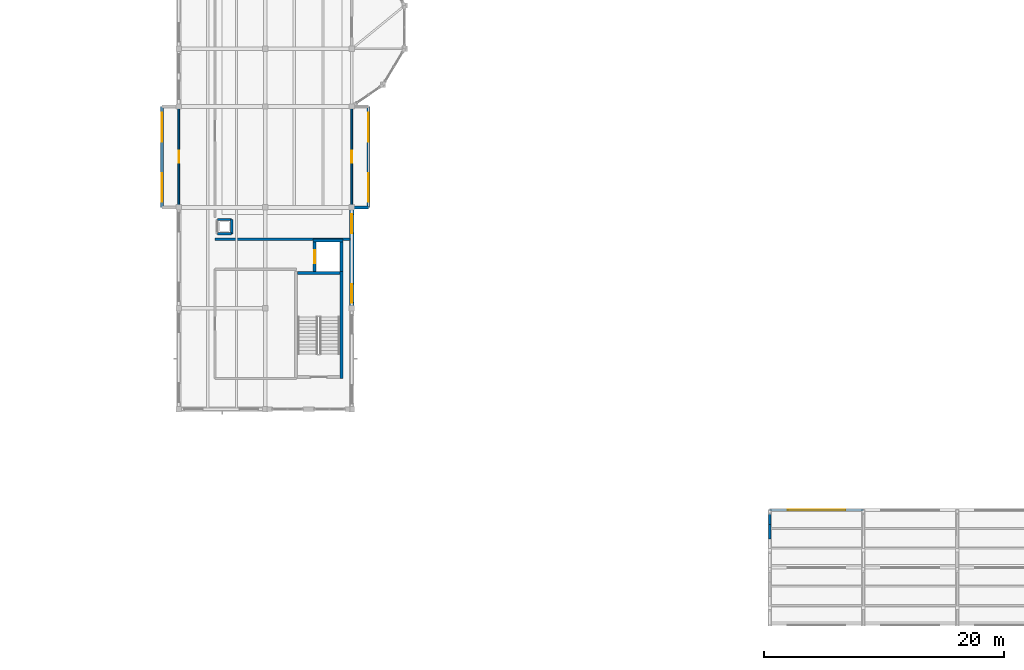
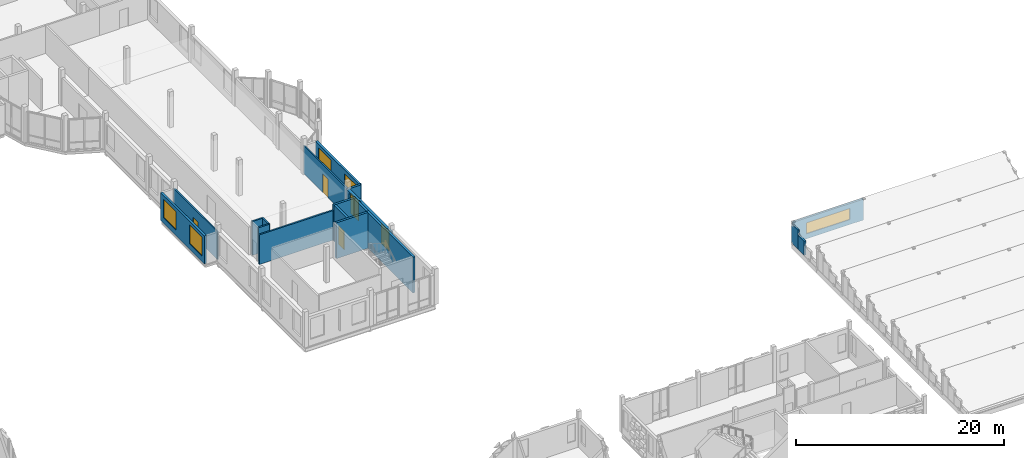
# One storey, part 58 of 81: 18 walls, 7 windows, 3 doors, 10 openings.
"""IFC4 building model written with IfcOpenShell, lengths in metres."""

from ifc_helpers import new_model, si_unit, direction, frame, frame_2d, origin, place, context, subcontext, project, spatial, rectangle, extrude, material, layer, layer_set, type_object, element, fill, save


model = new_model("IFC4")

# Units and contexts
model_context = context("Model", 3, precision=1e-05, world=origin(), true_north=direction((0.0, 1.0)))
body_context = subcontext(model_context, "Body", "Model", "MODEL_VIEW")
ifc_project = project(units=[si_unit("LENGTHUNIT", "METRE"), si_unit("AREAUNIT", "SQUARE_METRE"), si_unit("VOLUMEUNIT", "CUBIC_METRE"), si_unit("PLANEANGLEUNIT", "RADIAN"), si_unit("MASSUNIT", "GRAM", prefix="KILO")], contexts=[model_context])

# Site, building, storey
site_placement = place(None, origin())
site = spatial("IfcSite", under=ifc_project, at=site_placement, CompositionType="ELEMENT")
building_placement = place(site_placement, origin())
building = spatial("IfcBuilding", under=site, at=building_placement, Name="Kahlenmark Community Centre", CompositionType="ELEMENT")
storey_placement = place(building_placement, frame((0.0, 0.0, 9.60009765625)))
storey = spatial("IfcBuildingStorey", under=building, at=storey_placement, Name="L02", CompositionType="ELEMENT", Elevation=9.60009765625)

# Walls
ifc_material_1 = material(Name="Concrete C35/45", Category="concrete")
ifc_layer_1 = layer(ifc_material_1, 0.25)
ifc_layer_set_1 = layer_set([ifc_layer_1], Name="Concrete C35/45")
wall_type_1 = type_object("IfcWallType", Name="WT-CORE-250", PredefinedType="SHEAR", material=ifc_layer_set_1)
wall_1_placement = place(storey_placement, frame((85.800048828125, 62.125, 0.0), z_axis=(0.0, 0.0, 1.0), x_axis=(-1.0, 0.0, 0.0)))
element("IfcWall", 1, at=wall_1_placement, inside=storey, type_object=wall_type_1, Name="Core K6 shear wall WL-CORE-K6-L02-0220", PredefinedType="SHEAR", context=body_context, shape_type="SweptSolid", body=[
    extrude(rectangle(XDim=3.5, YDim=0.25, at=frame_2d((1.75, 0.0))), origin(), (0.0, 0.0, 1.0), 4.199951171875),
])
wall_2_placement = place(storey_placement, frame((85.925048828125, 53.35009765625, 0.0), z_axis=(0.0, 0.0, 1.0), x_axis=(0.0, 1.0, 0.0)))
element("IfcWall", 2, at=wall_2_placement, inside=storey, type_object=wall_type_1, Name="Core K6 shear wall WL-CORE-K6-L02-0221", PredefinedType="SHEAR", context=body_context, shape_type="SweptSolid", body=[
    extrude(rectangle(XDim=8.89990234375, YDim=0.25, at=frame_2d((4.449951171875, 0.0))), origin(), (0.0, 0.0, 1.0), 4.199951171875),
])
wall_3_placement = place(storey_placement, frame((83.590087890625, 64.8349609375, 0.0), z_axis=(0.0, 0.0, 1.0), x_axis=(1.0, 0.0, 0.0)))
element("IfcWall", 3, at=wall_3_placement, inside=storey, type_object=wall_type_1, Name="Core K6 shear wall WL-CORE-K6-L02-0222", PredefinedType="SHEAR", context=body_context, shape_type="SweptSolid", body=[
    extrude(rectangle(XDim=2.4599609375, YDim=0.25, at=frame_2d((1.22998046875, 0.0))), origin(), (0.0, 0.0, 1.0), 4.199951171875),
])

# Wall, opening, door
wall_4_placement = place(storey_placement, frame((83.715087890625, 62.25, 0.0), z_axis=(0.0, 0.0, 1.0), x_axis=(0.0, 1.0, 0.0)))
wall_4 = element("IfcWall", 4, at=wall_4_placement, inside=storey, type_object=wall_type_1, Name="Core K6 shear wall WL-CORE-K6-L02-0223", PredefinedType="SHEAR", context=body_context, shape_type="SweptSolid", body=[
    extrude(rectangle(XDim=2.4599609375, YDim=0.25, at=frame_2d((1.22998046875, 0.0))), origin(), (0.0, 0.0, 1.0), 4.199951171875),
])
opening_1_placement = place(wall_4_placement, frame((0.679931640625, 0.0, -0.010009765625)))
opening_1 = element("IfcOpeningElement", 5, at=opening_1_placement, cuts=wall_4, Name="Opening LD-6", PredefinedType="OPENING", context=body_context, shape_type="SweptSolid", body=[
    extrude(rectangle(XDim=1.10009765625, YDim=2.159912109375, at=frame_2d((0.550048828125, 1.080078125))), frame((0.0, 0.135009765625, 0.0), z_axis=(0.0, -1.0, 0.0), x_axis=(1.0, 0.0, 0.0)), (0.0, 0.0, 1.0), 0.27001953125),
])
ifc_material_2 = material(Name="Brushed stainless steel sliding lift landing door", Category="steel")
door_type_1 = type_object("IfcDoorType", Name="DT-LD-K6", OperationType="SLIDING_TO_LEFT", PredefinedType="DOOR", material=ifc_material_2)
door_1_placement = place(opening_1_placement, frame((0.0, 0.0, 0.010009765625)))
door_1 = element("IfcDoor", 6, at=door_1_placement, inside=storey, type_object=door_type_1, Name="Lift LF-06 sliding landing door L02", OperationType="SLIDING_TO_LEFT", OverallHeight=2.14990234375, OverallWidth=1.10009765625, PredefinedType="DOOR", context=body_context, shape_type="SweptSolid", body=[
    extrude(rectangle(XDim=1.10009765625, YDim=2.14990234375, at=frame_2d((0.550048828125, 1.074951171875))), frame((0.0, 0.02490234375, 0.0), z_axis=(0.0, -1.0, 0.0), x_axis=(1.0, 0.0, 0.0)), (0.0, 0.0, 1.0), 0.050048828125),
])
fill(opening_1, door_1)

# Walls
wall_5_placement = place(storey_placement, frame((85.925048828125, 62.25, 0.0), z_axis=(0.0, 0.0, 1.0), x_axis=(0.0, 1.0, 0.0)))
element("IfcWall", 7, at=wall_5_placement, inside=storey, type_object=wall_type_1, Name="Core K6 shear wall WL-CORE-K6-L02-0224", PredefinedType="SHEAR", context=body_context, shape_type="SweptSolid", body=[
    extrude(rectangle(XDim=2.7099609375, YDim=0.25, at=frame_2d((1.35498046875, 0.0))), origin(), (0.0, 0.0, 1.0), 4.199951171875),
])
ifc_material_3 = material(Name="Cross-laminated timber CLT C24", Category="wood")
ifc_layer_2 = layer(ifc_material_3, 0.239990234375)
ifc_layer_set_2 = layer_set([ifc_layer_2], Name="Cross-laminated timber CLT C24")
wall_type_2 = type_object("IfcWallType", Name="WT-EW-240", PredefinedType="SOLIDWALL", material=ifc_layer_set_2)
wall_6_placement = place(storey_placement, frame((86.800048828125, 67.60009765625, 0.0), z_axis=(0.0, 0.0, 1.0), x_axis=(1.0, 0.0, 0.0)))
element("IfcWall", 8, at=wall_6_placement, inside=storey, type_object=wall_type_2, Name="Bay oriel wall WL-ORI-L02-0811", PredefinedType="SOLIDWALL", context=body_context, shape_type="SweptSolid", body=[
    extrude(rectangle(XDim=1.39990234375, YDim=0.239990234375, at=frame_2d((0.699951171875, 0.0))), origin(), (0.0, 0.0, 1.0), 3.27001953125),
])

# Wall, openings, windows
wall_7_placement = place(storey_placement, frame((88.199951171875, 67.60009765625, 0.0), z_axis=(0.0, 0.0, 1.0), x_axis=(0.0, 1.0, 0.0)))
wall_7 = element("IfcWall", 9, at=wall_7_placement, inside=storey, type_object=wall_type_2, Name="Bay oriel wall WL-ORI-L02-0812", PredefinedType="SOLIDWALL", context=body_context, shape_type="SweptSolid", body=[
    extrude(rectangle(XDim=8.39990234375, YDim=0.239990234375, at=frame_2d((4.199951171875, 0.0))), origin(), (0.0, 0.0, 1.0), 3.27001953125),
])
opening_2_placement = place(wall_7_placement, frame((0.4599609375, 0.0, 0.64990234375)))
opening_2 = element("IfcOpeningElement", 10, at=opening_2_placement, cuts=wall_7, Name="Opening W-240X220", PredefinedType="OPENING", context=body_context, shape_type="SweptSolid", body=[
    extrude(rectangle(XDim=2.39990234375, YDim=2.199951171875, at=frame_2d((1.199951171875, 1.10009765625))), frame((0.0, 0.1298828125, 0.0), z_axis=(0.0, -1.0, 0.0), x_axis=(1.0, 0.0, 0.0)), (0.0, 0.0, 1.0), 0.260009765625),
])
opening_3_placement = place(wall_7_placement, frame((5.4599609375, 0.0, 0.64990234375)))
opening_3 = element("IfcOpeningElement", 11, at=opening_3_placement, cuts=wall_7, Name="Opening W-240X220", PredefinedType="OPENING", context=body_context, shape_type="SweptSolid", body=[
    extrude(rectangle(XDim=2.39990234375, YDim=2.199951171875, at=frame_2d((1.199951171875, 1.10009765625))), frame((0.0, 0.1298828125, 0.0), z_axis=(0.0, -1.0, 0.0), x_axis=(1.0, 0.0, 0.0)), (0.0, 0.0, 1.0), 0.260009765625),
])
ifc_material_4 = material(Name="Triple low-e insulated glazing in timber-aluminium frame", Category="wood")
window_type_1 = type_object("IfcWindowType", Name="WNT-240X220", PartitioningType="TRIPLE_PANEL_VERTICAL", PredefinedType="WINDOW", material=ifc_material_4)
window_1_placement = place(opening_2_placement, origin())
window_1 = element("IfcWindow", 12, at=window_1_placement, inside=storey, type_object=window_type_1, Name="Window W-240X220 #0505", OverallHeight=2.199951171875, OverallWidth=2.39990234375, PartitioningType="TRIPLE_PANEL_VERTICAL", PredefinedType="WINDOW", context=body_context, shape_type="SweptSolid", body=[
    extrude(rectangle(XDim=2.39990234375, YDim=2.199951171875, at=frame_2d((1.199951171875, 1.10009765625))), frame((0.0, 0.030029296875, 0.0), z_axis=(0.0, -1.0, 0.0), x_axis=(1.0, 0.0, 0.0)), (0.0, 0.0, 1.0), 0.06005859375),
])
fill(opening_2, window_1)
window_2_placement = place(opening_3_placement, origin())
window_2 = element("IfcWindow", 13, at=window_2_placement, inside=storey, type_object=window_type_1, Name="Window W-240X220 #0506", OverallHeight=2.199951171875, OverallWidth=2.39990234375, PartitioningType="TRIPLE_PANEL_VERTICAL", PredefinedType="WINDOW", context=body_context, shape_type="SweptSolid", body=[
    extrude(rectangle(XDim=2.39990234375, YDim=2.199951171875, at=frame_2d((1.199951171875, 1.10009765625))), frame((0.0, 0.030029296875, 0.0), z_axis=(0.0, -1.0, 0.0), x_axis=(1.0, 0.0, 0.0)), (0.0, 0.0, 1.0), 0.06005859375),
])
fill(opening_3, window_2)

wall_8_placement = place(storey_placement, frame((71.0, 67.60009765625, 0.0), z_axis=(0.0, 0.0, 1.0), x_axis=(0.0, 1.0, 0.0)))
wall_8 = element("IfcWall", 14, at=wall_8_placement, inside=storey, type_object=wall_type_2, Name="Bay oriel wall WL-ORI-L02-0848", PredefinedType="SOLIDWALL", context=body_context, shape_type="SweptSolid", body=[
    extrude(rectangle(XDim=8.39990234375, YDim=0.239990234375, at=frame_2d((4.199951171875, 0.0))), origin(), (0.0, 0.0, 1.0), 3.27001953125),
])
opening_4_placement = place(wall_8_placement, frame((0.4599609375, 0.0, 0.64990234375)))
opening_4 = element("IfcOpeningElement", 15, at=opening_4_placement, cuts=wall_8, Name="Opening W-240X220", PredefinedType="OPENING", context=body_context, shape_type="SweptSolid", body=[
    extrude(rectangle(XDim=2.39990234375, YDim=2.199951171875, at=frame_2d((1.199951171875, 1.10009765625))), frame((0.0, 0.1298828125, 0.0), z_axis=(0.0, -1.0, 0.0), x_axis=(1.0, 0.0, 0.0)), (0.0, 0.0, 1.0), 0.260009765625),
])
opening_5_placement = place(wall_8_placement, frame((5.4599609375, 0.0, 0.64990234375)))
opening_5 = element("IfcOpeningElement", 16, at=opening_5_placement, cuts=wall_8, Name="Opening W-240X220", PredefinedType="OPENING", context=body_context, shape_type="SweptSolid", body=[
    extrude(rectangle(XDim=2.39990234375, YDim=2.199951171875, at=frame_2d((1.199951171875, 1.10009765625))), frame((0.0, 0.1298828125, 0.0), z_axis=(0.0, -1.0, 0.0), x_axis=(1.0, 0.0, 0.0)), (0.0, 0.0, 1.0), 0.260009765625),
])
window_3_placement = place(opening_4_placement, origin())
window_3 = element("IfcWindow", 17, at=window_3_placement, inside=storey, type_object=window_type_1, Name="Window W-240X220 #0529", OverallHeight=2.199951171875, OverallWidth=2.39990234375, PartitioningType="TRIPLE_PANEL_VERTICAL", PredefinedType="WINDOW", context=body_context, shape_type="SweptSolid", body=[
    extrude(rectangle(XDim=2.39990234375, YDim=2.199951171875, at=frame_2d((1.199951171875, 1.10009765625))), frame((0.0, 0.030029296875, 0.0), z_axis=(0.0, -1.0, 0.0), x_axis=(1.0, 0.0, 0.0)), (0.0, 0.0, 1.0), 0.06005859375),
])
fill(opening_4, window_3)
window_4_placement = place(opening_5_placement, origin())
window_4 = element("IfcWindow", 18, at=window_4_placement, inside=storey, type_object=window_type_1, Name="Window W-240X220 #0530", OverallHeight=2.199951171875, OverallWidth=2.39990234375, PartitioningType="TRIPLE_PANEL_VERTICAL", PredefinedType="WINDOW", context=body_context, shape_type="SweptSolid", body=[
    extrude(rectangle(XDim=2.39990234375, YDim=2.199951171875, at=frame_2d((1.199951171875, 1.10009765625))), frame((0.0, 0.030029296875, 0.0), z_axis=(0.0, -1.0, 0.0), x_axis=(1.0, 0.0, 0.0)), (0.0, 0.0, 1.0), 0.06005859375),
])
fill(opening_5, window_4)

ifc_material_5 = material(Name="Danube limestone masonry", Category="masonry")
ifc_layer_3 = layer(ifc_material_5, 0.360107421875)
ifc_layer_set_3 = layer_set([ifc_layer_3], Name="Danube limestone masonry")
wall_type_3 = type_object("IfcWallType", Name="WT-EW-360", PredefinedType="SOLIDWALL", material=ifc_layer_set_3)
wall_9_placement = place(storey_placement, frame((86.800048828125, 59.199951171875, 0.0), z_axis=(0.0, 0.0, 1.0), x_axis=(0.0, 1.0, 0.0)))
wall_9 = element("IfcWall", 19, at=wall_9_placement, inside=storey, type_object=wall_type_3, Name="Exterior wall WL-EXT-L02-0529", PredefinedType="SOLIDWALL", context=body_context, shape_type="SweptSolid", body=[
    extrude(rectangle(XDim=8.400146484375, YDim=0.360107421875, at=frame_2d((4.2001953125, 0.0))), origin(), (0.0, 0.0, 1.0), 3.27001953125),
])
opening_6_placement = place(wall_9_placement, frame((0.4599609375, 0.0, 0.75)))
opening_6 = element("IfcOpeningElement", 20, at=opening_6_placement, cuts=wall_9, Name="Opening W-155X238", PredefinedType="OPENING", context=body_context, shape_type="SweptSolid", body=[
    extrude(rectangle(XDim=1.550048828125, YDim=2.3798828125, at=frame_2d((0.77490234375, 1.18994140625))), frame((0.0, 0.18994140625, 0.0), z_axis=(0.0, -1.0, 0.0), x_axis=(1.0, 0.0, 0.0)), (0.0, 0.0, 1.0), 0.380126953125),
])
opening_7_placement = place(wall_9_placement, frame((6.260009765625, 0.0, 0.75)))
opening_7 = element("IfcOpeningElement", 21, at=opening_7_placement, cuts=wall_9, Name="Opening W-155X238", PredefinedType="OPENING", context=body_context, shape_type="SweptSolid", body=[
    extrude(rectangle(XDim=1.550048828125, YDim=2.3798828125, at=frame_2d((0.77490234375, 1.18994140625))), frame((0.0, 0.18994140625, 0.0), z_axis=(0.0, -1.0, 0.0), x_axis=(1.0, 0.0, 0.0)), (0.0, 0.0, 1.0), 0.380126953125),
])
ifc_material_6 = material(Name="Deep-reveal limestone punched triple glazing", Category="masonry")
window_type_2 = type_object("IfcWindowType", Name="WNT-155X238", PartitioningType="DOUBLE_PANEL_HORIZONTAL", PredefinedType="WINDOW", material=ifc_material_6)
window_5_placement = place(opening_6_placement, origin())
window_5 = element("IfcWindow", 22, at=window_5_placement, inside=storey, type_object=window_type_2, Name="Window W-155X238 #0325", OverallHeight=2.3798828125, OverallWidth=1.550048828125, PartitioningType="DOUBLE_PANEL_HORIZONTAL", PredefinedType="WINDOW", context=body_context, shape_type="SweptSolid", body=[
    extrude(rectangle(XDim=1.550048828125, YDim=2.3798828125, at=frame_2d((0.77490234375, 1.18994140625))), frame((0.0, 0.030029296875, 0.0), z_axis=(0.0, -1.0, 0.0), x_axis=(1.0, 0.0, 0.0)), (0.0, 0.0, 1.0), 0.06005859375),
])
fill(opening_6, window_5)
window_6_placement = place(opening_7_placement, origin())
window_6 = element("IfcWindow", 23, at=window_6_placement, inside=storey, type_object=window_type_2, Name="Window W-155X238 #0326", OverallHeight=2.3798828125, OverallWidth=1.550048828125, PartitioningType="DOUBLE_PANEL_HORIZONTAL", PredefinedType="WINDOW", context=body_context, shape_type="SweptSolid", body=[
    extrude(rectangle(XDim=1.550048828125, YDim=2.3798828125, at=frame_2d((0.77490234375, 1.18994140625))), frame((0.0, 0.030029296875, 0.0), z_axis=(0.0, -1.0, 0.0), x_axis=(1.0, 0.0, 0.0)), (0.0, 0.0, 1.0), 0.06005859375),
])
fill(opening_7, window_6)

# Wall, opening, window
ifc_layer_4 = layer(ifc_material_3, 0.199951171875)
ifc_layer_set_4 = layer_set([ifc_layer_4], Name="Cross-laminated timber CLT C24")
wall_type_4 = type_object("IfcWallType", Name="WT-EW-SAW200", PredefinedType="SOLIDWALL", material=ifc_layer_set_4)
wall_10_placement = place(storey_placement, frame((121.60009765625, 42.39990234375, 0.0), z_axis=(0.0, 0.0, 1.0), x_axis=(1.0, 0.0, 0.0)))
wall_10 = element("IfcWall", 24, at=wall_10_placement, inside=storey, type_object=wall_type_4, Name="Sawtooth north-light wall bay 7", PredefinedType="SOLIDWALL", context=body_context, shape_type="SweptSolid", body=[
    extrude(rectangle(XDim=7.7998046875, YDim=0.199951171875, at=frame_2d((3.89990234375, 0.0))), origin(), (0.0, 0.0, 1.0), 2.4599609375),
])
opening_8_placement = place(wall_10_placement, frame((1.5, 0.0, 0.580078125)))
opening_8 = element("IfcOpeningElement", 25, at=opening_8_placement, cuts=wall_10, Name="Opening SK-SAW1", PredefinedType="OPENING", context=body_context, shape_type="SweptSolid", body=[
    extrude(rectangle(XDim=4.800048828125, YDim=1.300048828125, at=frame_2d((2.39990234375, 0.64990234375))), frame((0.0, 0.10986328125, 0.0), z_axis=(0.0, -1.0, 0.0), x_axis=(1.0, 0.0, 0.0)), (0.0, 0.0, 1.0), 0.219970703125),
])
ifc_material_7 = material(Name="North-light solar control triple glazing", Category="glass")
window_type_3 = type_object("IfcWindowType", Name="WNT-SK-SAW", PartitioningType="TRIPLE_PANEL_VERTICAL", PredefinedType="SKYLIGHT", material=ifc_material_7)
window_7_placement = place(opening_8_placement, origin())
window_7 = element("IfcWindow", 26, at=window_7_placement, inside=storey, type_object=window_type_3, Name="Sawtooth north-light skylight 0578", OverallHeight=1.300048828125, OverallWidth=4.800048828125, PartitioningType="TRIPLE_PANEL_VERTICAL", PredefinedType="SKYLIGHT", context=body_context, shape_type="SweptSolid", body=[
    extrude(rectangle(XDim=4.800048828125, YDim=1.300048828125, at=frame_2d((2.39990234375, 0.64990234375))), frame((0.0, 0.030029296875, 0.0), z_axis=(0.0, -1.0, 0.0), x_axis=(1.0, 0.0, 0.0)), (0.0, 0.0, 1.0), 0.06005859375),
])
fill(opening_8, window_7)

# Walls
wall_11_placement = place(storey_placement, frame((121.60009765625, 40.0, 0.0), z_axis=(0.0, 0.0, 1.0), x_axis=(0.0, 1.0, 0.0)))
element("IfcWall", 27, at=wall_11_placement, inside=storey, type_object=wall_type_4, Name="Sawtooth stepped cheek gable 1008", PredefinedType="SOLIDWALL", context=body_context, shape_type="SweptSolid", body=[
    extrude(rectangle(XDim=1.199951171875, YDim=0.199951171875, at=frame_2d((0.60009765625, 0.0))), origin(), (0.0, 0.0, 1.0), 1.663818359375),
])
wall_12_placement = place(storey_placement, frame((121.60009765625, 41.199951171875, 0.0), z_axis=(0.0, 0.0, 1.0), x_axis=(0.0, 1.0, 0.0)))
element("IfcWall", 28, at=wall_12_placement, inside=storey, type_object=wall_type_4, Name="Sawtooth stepped cheek gable 1009", PredefinedType="SOLIDWALL", context=body_context, shape_type="SweptSolid", body=[
    extrude(rectangle(XDim=1.199951171875, YDim=0.199951171875, at=frame_2d((0.60009765625, 0.0))), origin(), (0.0, 0.0, 1.0), 2.223876953125),
])

# Wall, opening, door
ifc_material_8 = material(Name="Gypsum plasterboard partition", Category="gypsum")
ifc_layer_5 = layer(ifc_material_8, 0.14990234375)
ifc_layer_set_5 = layer_set([ifc_layer_5], Name="Gypsum plasterboard partition")
wall_type_5 = type_object("IfcWallType", Name="WT-PW-150", PredefinedType="PARTITIONING", material=ifc_layer_set_5)
wall_13_placement = place(storey_placement, frame((86.800048828125, 67.60009765625, 0.0), z_axis=(0.0, 0.0, 1.0), x_axis=(0.0, 1.0, 0.0)))
wall_13 = element("IfcWall", 29, at=wall_13_placement, inside=storey, type_object=wall_type_5, Name="Interior partition WL-INT-L02-0188", PredefinedType="PARTITIONING", context=body_context, shape_type="SweptSolid", body=[
    extrude(rectangle(XDim=8.39990234375, YDim=0.14990234375, at=frame_2d((4.199951171875, 0.0))), origin(), (0.0, 0.0, 1.0), 3.27001953125),
])
opening_9_placement = place(wall_13_placement, frame((3.699951171875, 0.0, -0.010009765625)))
opening_9 = element("IfcOpeningElement", 30, at=opening_9_placement, cuts=wall_13, Name="Opening D-L02-109", PredefinedType="OPENING", context=body_context, shape_type="SweptSolid", body=[
    extrude(rectangle(XDim=1.0, YDim=2.159912109375, at=frame_2d((0.5, 1.080078125))), frame((0.0, 0.0849609375, 0.0), z_axis=(0.0, -1.0, 0.0), x_axis=(1.0, 0.0, 0.0)), (0.0, 0.0, 1.0), 0.169921875),
])
ifc_material_9 = material(Name="Oak timber veneer door leaf", Category="wood")
door_type_2 = type_object("IfcDoorType", Name="DT-INT-100X215", OperationType="NOTDEFINED", PredefinedType="DOOR", material=ifc_material_9)
door_2_placement = place(opening_9_placement, frame((0.0, 0.0, 0.010009765625)))
door_2 = element("IfcDoor", 31, at=door_2_placement, inside=storey, type_object=door_type_2, Name="Interior door D-L02-109", OperationType="SINGLE_SWING_RIGHT", OverallHeight=2.14990234375, OverallWidth=1.0, PredefinedType="DOOR", context=body_context, shape_type="SweptSolid", body=[
    extrude(rectangle(XDim=1.0, YDim=2.14990234375, at=frame_2d((0.5, 1.074951171875))), frame((0.0, 0.02490234375, 0.0), z_axis=(0.0, -1.0, 0.0), x_axis=(1.0, 0.0, 0.0)), (0.0, 0.0, 1.0), 0.050048828125),
])
fill(opening_9, door_2)

wall_14_placement = place(storey_placement, frame((72.39990234375, 67.60009765625, 0.0), z_axis=(0.0, 0.0, 1.0), x_axis=(0.0, 1.0, 0.0)))
wall_14 = element("IfcWall", 32, at=wall_14_placement, inside=storey, type_object=wall_type_5, Name="Interior partition WL-INT-L02-0189", PredefinedType="PARTITIONING", context=body_context, shape_type="SweptSolid", body=[
    extrude(rectangle(XDim=8.39990234375, YDim=0.14990234375, at=frame_2d((4.199951171875, 0.0))), origin(), (0.0, 0.0, 1.0), 3.27001953125),
])
opening_10_placement = place(wall_14_placement, frame((3.699951171875, 0.0, -0.010009765625)))
opening_10 = element("IfcOpeningElement", 33, at=opening_10_placement, cuts=wall_14, Name="Opening D-L02-110", PredefinedType="OPENING", context=body_context, shape_type="SweptSolid", body=[
    extrude(rectangle(XDim=1.0, YDim=2.159912109375, at=frame_2d((0.5, 1.080078125))), frame((0.0, 0.0849609375, 0.0), z_axis=(0.0, -1.0, 0.0), x_axis=(1.0, 0.0, 0.0)), (0.0, 0.0, 1.0), 0.169921875),
])
door_3_placement = place(opening_10_placement, frame((0.0, 0.0, 0.010009765625)))
door_3 = element("IfcDoor", 34, at=door_3_placement, inside=storey, type_object=door_type_2, Name="Interior door D-L02-110", OperationType="SINGLE_SWING_LEFT", OverallHeight=2.14990234375, OverallWidth=1.0, PredefinedType="DOOR", context=body_context, shape_type="SweptSolid", body=[
    extrude(rectangle(XDim=1.0, YDim=2.14990234375, at=frame_2d((0.5, 1.074951171875))), frame((0.0, 0.02490234375, 0.0), z_axis=(0.0, -1.0, 0.0), x_axis=(1.0, 0.0, 0.0)), (0.0, 0.0, 1.0), 0.050048828125),
])
fill(opening_10, door_3)

# Walls
ifc_layer_6 = layer(ifc_material_8, 0.179931640625)
ifc_layer_set_6 = layer_set([ifc_layer_6], Name="Gypsum plasterboard partition")
wall_type_6 = type_object("IfcWallType", Name="WT-PW-180", PredefinedType="PARTITIONING", material=ifc_layer_set_6)
wall_15_placement = place(storey_placement, frame((75.39990234375, 64.949951171875, 0.0), z_axis=(0.0, 0.0, 1.0), x_axis=(1.0, 0.0, 0.0)))
element("IfcWall", 35, at=wall_15_placement, inside=storey, type_object=wall_type_6, Name="Interior partition WL-INT-L02-0206", PredefinedType="PARTITIONING", context=body_context, shape_type="SweptSolid", body=[
    extrude(rectangle(XDim=11.260009765625, YDim=0.179931640625, at=frame_2d((5.6298828125, 0.0))), origin(), (0.0, 0.0, 1.0), 3.469970703125),
])
ifc_material_10 = material(Name="Masonry blockwork", Category="masonry")
ifc_layer_7 = layer(ifc_material_10, 0.179931640625)
ifc_layer_set_7 = layer_set([ifc_layer_7], Name="Masonry blockwork")
wall_type_7 = type_object("IfcWallType", Name="WT-RISER-180", PredefinedType="SOLIDWALL", material=ifc_layer_set_7)
wall_16_placement = place(storey_placement, frame((75.60009765625, 65.39990234375, 0.0), z_axis=(0.0, 0.0, 1.0), x_axis=(1.0, 0.0, 0.0)))
element("IfcWall", 36, at=wall_16_placement, inside=storey, type_object=wall_type_7, Name="Riser RS-08 shaft wall L02.1", PredefinedType="SOLIDWALL", context=body_context, shape_type="SweptSolid", body=[
    extrude(rectangle(XDim=1.199951171875, YDim=0.179931640625, at=frame_2d((0.60009765625, 0.0))), origin(), (0.0, 0.0, 1.0), 3.969970703125),
])
wall_17_placement = place(storey_placement, frame((76.800048828125, 65.39990234375, 0.0), z_axis=(0.0, 0.0, 1.0), x_axis=(0.0, 1.0, 0.0)))
element("IfcWall", 37, at=wall_17_placement, inside=storey, type_object=wall_type_7, Name="Riser RS-08 shaft wall L02.2", PredefinedType="SOLIDWALL", context=body_context, shape_type="SweptSolid", body=[
    extrude(rectangle(XDim=1.2001953125, YDim=0.179931640625, at=frame_2d((0.60009765625, 0.0))), origin(), (0.0, 0.0, 1.0), 3.969970703125),
])
wall_18_placement = place(storey_placement, frame((76.800048828125, 66.60009765625, 0.0), z_axis=(0.0, 0.0, 1.0), x_axis=(-1.0, 0.0, 0.0)))
element("IfcWall", 38, at=wall_18_placement, inside=storey, type_object=wall_type_7, Name="Riser RS-08 shaft wall L02.3", PredefinedType="SOLIDWALL", context=body_context, shape_type="SweptSolid", body=[
    extrude(rectangle(XDim=1.199951171875, YDim=0.179931640625, at=frame_2d((0.60009765625, 0.0))), origin(), (0.0, 0.0, 1.0), 3.969970703125),
])

save(model, "model.ifc")
